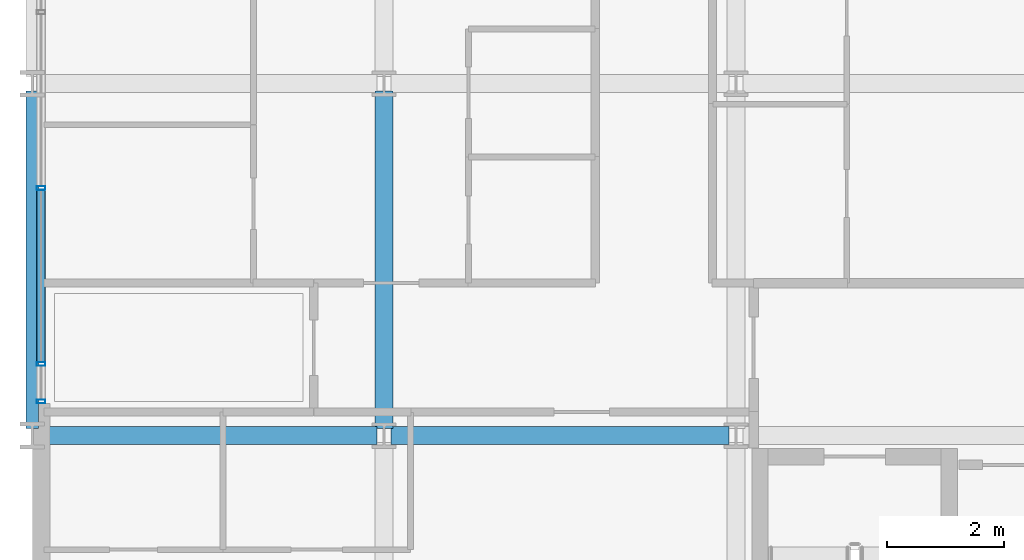
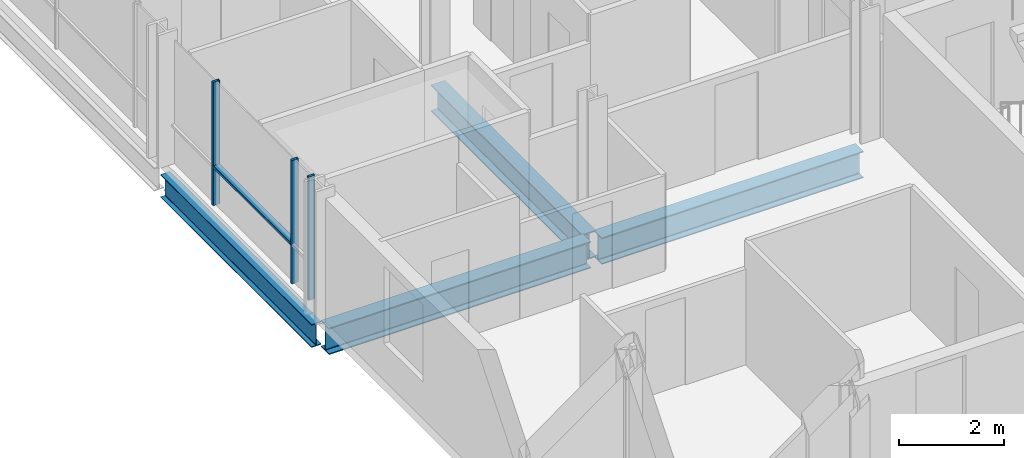
# One storey, part 2 of 40: 4 beams, 4 members, 1 element without a shape of its own.
"""IFC4 building model written with IfcOpenShell, lengths in metres."""

from ifc_helpers import new_model, si_unit, direction, frame, origin, origin_2d, place, context, subcontext, project, spatial, hollow_rectangle, i_section, extrude, material, layer, layer_set, material_profile, profile_set, type_object, element, aggregate, save


model = new_model("IFC4")

# Units and contexts
model_context = context("Model", 3, precision=1e-05, world=origin(), true_north=direction((0.0, 1.0)))
body_context = subcontext(model_context, "Body", "Model", "MODEL_VIEW")
ifc_project = project(units=[si_unit("LENGTHUNIT", "METRE"), si_unit("AREAUNIT", "SQUARE_METRE"), si_unit("VOLUMEUNIT", "CUBIC_METRE"), si_unit("PLANEANGLEUNIT", "RADIAN"), si_unit("MASSUNIT", "GRAM", prefix="KILO")], contexts=[model_context])

# Site, building, storey
site_placement = place(None, origin())
site = spatial("IfcSite", under=ifc_project, at=site_placement, CompositionType="ELEMENT")
building_placement = place(site_placement, origin())
building = spatial("IfcBuilding", under=site, at=building_placement, Name="Brevholm Reach", CompositionType="ELEMENT")
storey_placement = place(building_placement, frame((0.0, 0.0, 62.10009765625)))
storey = spatial("IfcBuildingStorey", under=building, at=storey_placement, Name="L17", CompositionType="ELEMENT", Elevation=62.10009765625)

# Beams
ifc_material_1 = material(Name="Structural Steel S355J2", Category="steel")
ifc_material_profile_1 = material_profile(ifc_material_1, i_section(OverallWidth=0.210693359375, OverallDepth=0.53955078125, WebThickness=0.01171875, FlangeThickness=0.018798828125, FilletRadius=0.0126953125, at=origin_2d()), Name="UKB 533x210x109")
ifc_profile_set_1 = profile_set([ifc_material_profile_1], Name="Structural Steel S355J2")
beam_type_1 = type_object("IfcBeamType", Name="BM-SP539", PredefinedType="SPANDREL", material=ifc_profile_set_1)
beam_placement = place(storey_placement, frame((0.0, 10.1201171875, -0.499755859375), z_axis=(0.0, 1.0, 0.0), x_axis=(-1.0, 0.0, 0.0)))
element("IfcBeam", 1, at=beam_placement, inside=storey, type_object=beam_type_1, Name="L17 SP-01B Framing Beam", PredefinedType="SPANDREL", context=body_context, shape_type="SweptSolid", body=[
    extrude(i_section(OverallWidth=0.210693359375, OverallDepth=0.53955078125, WebThickness=0.01171875, FlangeThickness=0.018798828125, FilletRadius=0.0126953125, at=origin_2d()), origin(), (0.0, 0.0, 1.0), 5.759765625),
])
ifc_material_2 = material(Name="Structural Steel S355J2", Category="steel")
ifc_material_profile_2 = material_profile(ifc_material_2, i_section(OverallWidth=0.30712890625, OverallDepth=0.6201171875, WebThickness=0.01416015625, FlangeThickness=0.023681640625, FilletRadius=0.0166015625, at=origin_2d()), Name="UKB 610x305x179")
ifc_profile_set_2 = profile_set([ifc_material_profile_2], Name="Structural Steel S355J2")
beam_type_2 = type_object("IfcBeamType", Name="BM-UKB610H", PredefinedType="USERDEFINED", material=ifc_profile_set_2)
for number, where, z_axis, x_axis, name in (
    (2, (0.1201171875, 10.0, -0.540283203125), (1.0, 0.0, 0.0), (0.0, 1.0, 0.0), "L17 G-06 Framing Beam"),
    (3, (6.1201171875, 10.0, -0.540283203125), (1.0, 0.0, 0.0), (0.0, 1.0, 0.0), "L17 G-06 Framing Beam"),
    (4, (6.0, 10.1201171875, -0.540283203125), (0.0, 1.0, 0.0), (-1.0, 0.0, 0.0), "L17 G-06 Framing Beam"),
):
    element("IfcBeam", number, at=place(storey_placement, frame(where, z_axis=z_axis, x_axis=x_axis)), inside=storey, type_object=beam_type_2, Name=name, ObjectType="GIRDER", PredefinedType="USERDEFINED", context=body_context, shape_type="SweptSolid", body=[
        extrude(i_section(OverallWidth=0.30712890625, OverallDepth=0.6201171875, WebThickness=0.01416015625, FlangeThickness=0.023681640625, FilletRadius=0.0166015625, at=origin_2d()), origin(), (0.0, 0.0, 1.0), 5.759765625),
    ])

# Curtain wall, members
ifc_material_3 = material(Name="Dark Anodised Aluminium 6063-T6 and Solar-Control Glass", Category="aluminium")
ifc_layer = layer(ifc_material_3, 0.14990234375)
ifc_layer_set = layer_set([ifc_layer], Name="Dark Anodised Aluminium 6063-T6 and Solar-Control Glass")
curtain_wall_type = type_object("IfcCurtainWallType", Name="CW-01", PredefinedType="NOTDEFINED", material=ifc_layer_set)
curtain_wall_placement = place(storey_placement, origin())
curtain_wall = element("IfcCurtainWall", 5, at=curtain_wall_placement, inside=storey, type_object=curtain_wall_type, Name="L17 Curtain Wall CW-01", PredefinedType="NOTDEFINED")
ifc_material_4 = material(Name="Dark Anodised Aluminium 6063-T6", Category="aluminium")
ifc_material_profile_3 = material_profile(ifc_material_4, hollow_rectangle(XDim=0.06494140625, YDim=0.14990234375, WallThickness=0.0048828125, InnerFilletRadius=0.0048828125, OuterFilletRadius=0.010009765625, at=origin_2d()), Name="RHS 150x65x5")
ifc_profile_set_3 = profile_set([ifc_material_profile_3], Name="Dark Anodised Aluminium 6063-T6")
member_type_1 = type_object("IfcMemberType", Name="CWM-150", PredefinedType="MULLION", material=ifc_profile_set_3)
member_1_placement = place(storey_placement, frame((0.14990234375, 14.219970703125, 0.0), z_axis=(0.0, 0.0, 1.0), x_axis=(0.0, -1.0, 0.0)))
member_1 = element("IfcMember", 6, at=member_1_placement, type_object=member_type_1, Name="CM-150 Mullion 4", PredefinedType="MULLION", context=body_context, shape_type="SweptSolid", body=[
    extrude(hollow_rectangle(XDim=0.06494140625, YDim=0.14990234375, WallThickness=0.0048828125, InnerFilletRadius=0.0048828125, OuterFilletRadius=0.010009765625, at=origin_2d()), origin(), (0.0, 0.0, 1.0), 2.869873046875),
])
member_2_placement = place(storey_placement, frame((0.14990234375, 11.219970703125, 0.0), z_axis=(0.0, 0.0, 1.0), x_axis=(0.0, -1.0, 0.0)))
member_2 = element("IfcMember", 7, at=member_2_placement, type_object=member_type_1, Name="CM-150 Mullion 5", PredefinedType="MULLION", context=body_context, shape_type="SweptSolid", body=[
    extrude(hollow_rectangle(XDim=0.06494140625, YDim=0.14990234375, WallThickness=0.0048828125, InnerFilletRadius=0.0048828125, OuterFilletRadius=0.010009765625, at=origin_2d()), origin(), (0.0, 0.0, 1.0), 2.869873046875),
])
member_3_placement = place(storey_placement, frame((0.14990234375, 10.58251953125, 0.0), z_axis=(0.0, 0.0, 1.0), x_axis=(0.0, -1.0, 0.0)))
member_3 = element("IfcMember", 8, at=member_3_placement, type_object=member_type_1, Name="CM-150 Mullion 6", PredefinedType="MULLION", context=body_context, shape_type="SweptSolid", body=[
    extrude(hollow_rectangle(XDim=0.06494140625, YDim=0.14990234375, WallThickness=0.0048828125, InnerFilletRadius=0.0048828125, OuterFilletRadius=0.010009765625, at=origin_2d()), origin(), (0.0, 0.0, 1.0), 2.869873046875),
])
ifc_material_5 = material(Name="Dark Anodised Aluminium 6063-T6", Category="aluminium")
ifc_material_profile_4 = material_profile(ifc_material_5, hollow_rectangle(XDim=0.06494140625, YDim=0.14990234375, WallThickness=0.0048828125, InnerFilletRadius=0.0048828125, OuterFilletRadius=0.010009765625, at=origin_2d()), Name="RHS 150x65x5")
ifc_profile_set_4 = profile_set([ifc_material_profile_4], Name="Dark Anodised Aluminium 6063-T6")
member_type_2 = type_object("IfcMemberType", Name="CWT-150", PredefinedType="NOTDEFINED", material=ifc_profile_set_4)
member_4_placement = place(storey_placement, frame((0.14990234375, 14.1875, 0.89990234375), z_axis=(0.0, -1.0, 0.0), x_axis=(0.0, 0.0, 1.0)))
member_4 = element("IfcMember", 9, at=member_4_placement, type_object=member_type_2, Name="CT-150 Transom 4.1", ObjectType="TRANSOM", PredefinedType="USERDEFINED", context=body_context, shape_type="SweptSolid", body=[
    extrude(hollow_rectangle(XDim=0.06494140625, YDim=0.14990234375, WallThickness=0.0048828125, InnerFilletRadius=0.0048828125, OuterFilletRadius=0.010009765625, at=origin_2d()), origin(), (0.0, 0.0, 1.0), 2.93505859375),
])
aggregate(curtain_wall, [member_1, member_2, member_3, member_4])

save(model, "model.ifc")
